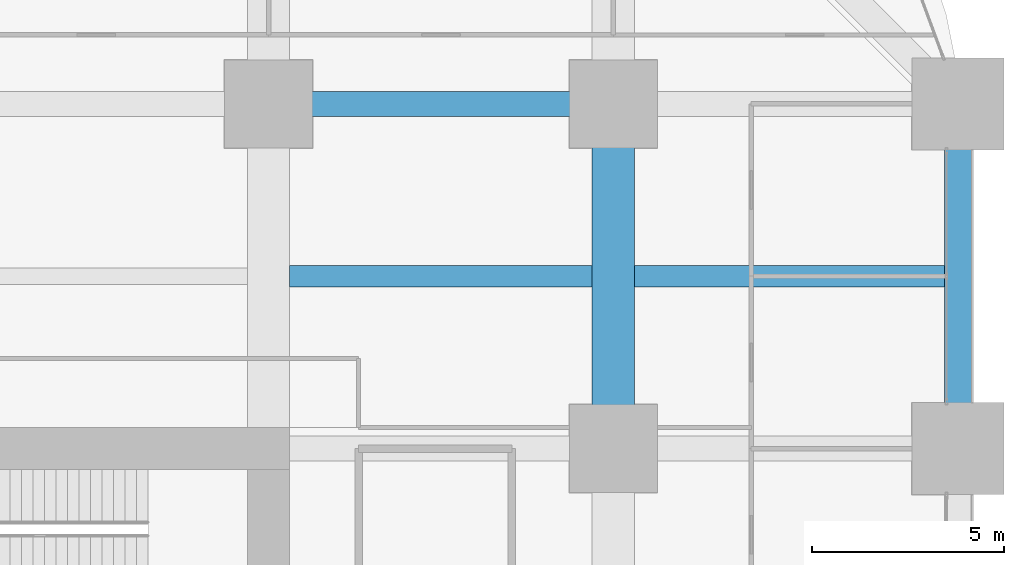
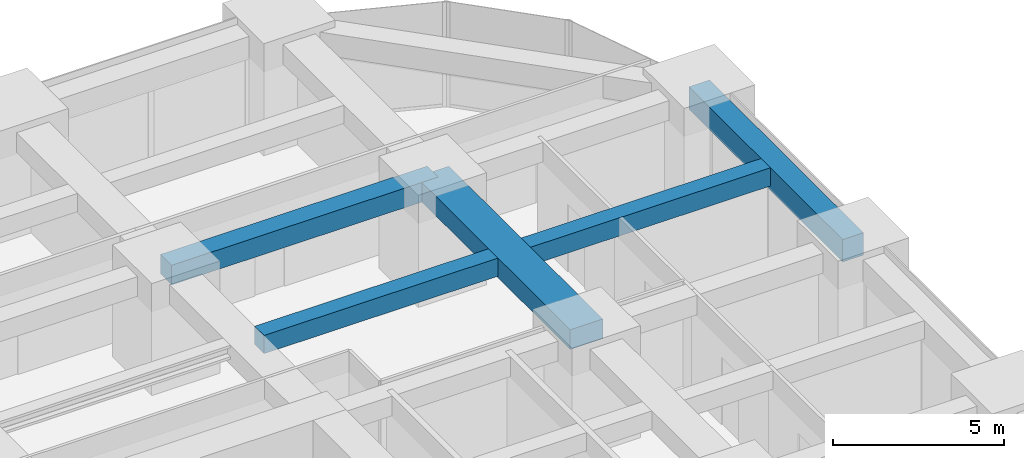
# One storey, part 33 of 45: 5 beams.
"""IFC4 building model written with IfcOpenShell, lengths in metres."""

from ifc_helpers import new_model, si_unit, direction, frame, origin, origin_2d, place, context, subcontext, project, spatial, rectangle, extrude, material, material_profile, profile_set, type_object, element, save


model = new_model("IFC4")

# Units and contexts
model_context = context("Model", 3, precision=1e-05, world=origin(), true_north=direction((0.0, 1.0)))
body_context = subcontext(model_context, "Body", "Model", "MODEL_VIEW")
ifc_project = project(units=[si_unit("LENGTHUNIT", "METRE"), si_unit("AREAUNIT", "SQUARE_METRE"), si_unit("VOLUMEUNIT", "CUBIC_METRE"), si_unit("PLANEANGLEUNIT", "RADIAN"), si_unit("MASSUNIT", "GRAM", prefix="KILO")], contexts=[model_context])

# Site, building, storey
site_placement = place(None, origin())
site = spatial("IfcSite", under=ifc_project, at=site_placement, CompositionType="ELEMENT")
building_placement = place(site_placement, origin())
building = spatial("IfcBuilding", under=site, at=building_placement, Name="Zorevar Civic Tower", CompositionType="ELEMENT")
storey_placement = place(building_placement, frame((0.0, 0.0, 23.800048828125)))
storey = spatial("IfcBuildingStorey", under=building, at=storey_placement, Name="L05", CompositionType="ELEMENT", Elevation=23.800048828125)

# Beams
ifc_material_1 = material(Name="Concrete C50/60", Category="concrete")
ifc_material_profile_1 = material_profile(ifc_material_1, rectangle(XDim=1.10009765625, YDim=0.699951171875, at=origin_2d()), Name="RC 1100x700")
ifc_profile_set_1 = profile_set([ifc_material_profile_1], Name="Concrete C50/60")
beam_type_1 = type_object("IfcBeamType", Name="Beam RC 1100x700", PredefinedType="BEAM", material=ifc_profile_set_1)
beam_1_placement = place(storey_placement, frame((54.0, 36.0, 3.39990234375), z_axis=(0.0, 1.0, 0.0), x_axis=(-1.0, 0.0, 0.0)))
element("IfcBeam", 1, at=beam_1_placement, inside=storey, type_object=beam_type_1, Name="Girder L06", PredefinedType="BEAM", context=body_context, shape_type="SweptSolid", body=[
    extrude(rectangle(XDim=1.10009765625, YDim=0.699951171875, at=origin_2d()), origin(), (0.0, 0.0, 1.0), 9.0),
])
ifc_material_2 = material(Name="Concrete C50/60", Category="concrete")
ifc_material_profile_2 = material_profile(ifc_material_2, rectangle(XDim=0.550048828125, YDim=0.64990234375, at=origin_2d()), Name="RC 550x650")
ifc_profile_set_2 = profile_set([ifc_material_profile_2], Name="Concrete C50/60")
beam_type_2 = type_object("IfcBeamType", Name="Beam RC 550x650", PredefinedType="BEAM", material=ifc_profile_set_2)
beam_2_placement = place(storey_placement, frame((45.550048828125, 40.5, 3.425048828125), z_axis=(1.0, 0.0, 0.0), x_axis=(0.0, 1.0, 0.0)))
element("IfcBeam", 2, at=beam_2_placement, inside=storey, type_object=beam_type_2, Name="Secondary beam L06", PredefinedType="BEAM", context=body_context, shape_type="SweptSolid", body=[
    extrude(rectangle(XDim=0.550048828125, YDim=0.64990234375, at=origin_2d()), origin(), (0.0, 0.0, 1.0), 7.89990234375),
])
beam_3_placement = place(storey_placement, frame((54.550048828125, 40.5, 3.425048828125), z_axis=(1.0, 0.0, 0.0), x_axis=(0.0, 1.0, 0.0)))
element("IfcBeam", 3, at=beam_3_placement, inside=storey, type_object=beam_type_2, Name="Secondary beam L06", PredefinedType="BEAM", context=body_context, shape_type="SweptSolid", body=[
    extrude(rectangle(XDim=0.550048828125, YDim=0.64990234375, at=origin_2d()), origin(), (0.0, 0.0, 1.0), 8.099853515625),
])
ifc_material_3 = material(Name="Concrete C50/60", Category="concrete")
ifc_material_profile_3 = material_profile(ifc_material_3, rectangle(XDim=0.64990234375, YDim=0.699951171875, at=origin_2d()), Name="RC 650x700")
ifc_profile_set_3 = profile_set([ifc_material_profile_3], Name="Concrete C50/60")
beam_type_3 = type_object("IfcBeamType", Name="Beam RC 650x700", PredefinedType="BEAM", material=ifc_profile_set_3)
beam_4_placement = place(storey_placement, frame((45.0, 45.0, 3.39990234375), z_axis=(1.0, 0.0, 0.0), x_axis=(0.0, 1.0, 0.0)))
element("IfcBeam", 4, at=beam_4_placement, inside=storey, type_object=beam_type_3, Name="Girder L06", PredefinedType="BEAM", context=body_context, shape_type="SweptSolid", body=[
    extrude(rectangle(XDim=0.64990234375, YDim=0.699951171875, at=origin_2d()), origin(), (0.0, 0.0, 1.0), 9.0),
])
ifc_material_4 = material(Name="Concrete C50/60", Category="concrete")
ifc_material_profile_4 = material_profile(ifc_material_4, rectangle(XDim=0.699951171875, YDim=0.800048828125, at=origin_2d()), Name="RC 700x800")
ifc_profile_set_4 = profile_set([ifc_material_profile_4], Name="Concrete C50/60")
beam_type_4 = type_object("IfcBeamType", Name="Edge beam RC 700x800", PredefinedType="SPANDREL", material=ifc_profile_set_4)
beam_5_placement = place(storey_placement, frame((63.0, 36.0, 3.349853515625), z_axis=(0.0, 1.0, 0.0), x_axis=(-1.0, 0.0, 0.0)))
element("IfcBeam", 5, at=beam_5_placement, inside=storey, type_object=beam_type_4, Name="Edge beam L06", PredefinedType="SPANDREL", context=body_context, shape_type="SweptSolid", body=[
    extrude(rectangle(XDim=0.699951171875, YDim=0.800048828125, at=origin_2d()), origin(), (0.0, 0.0, 1.0), 9.0),
])

save(model, "model.ifc")
